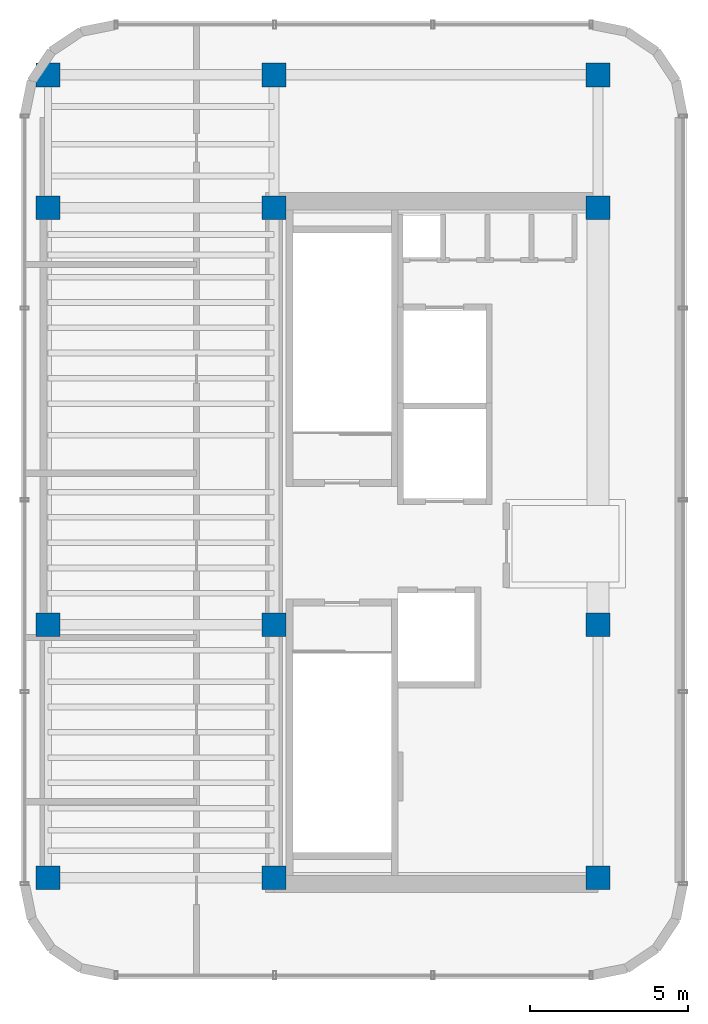
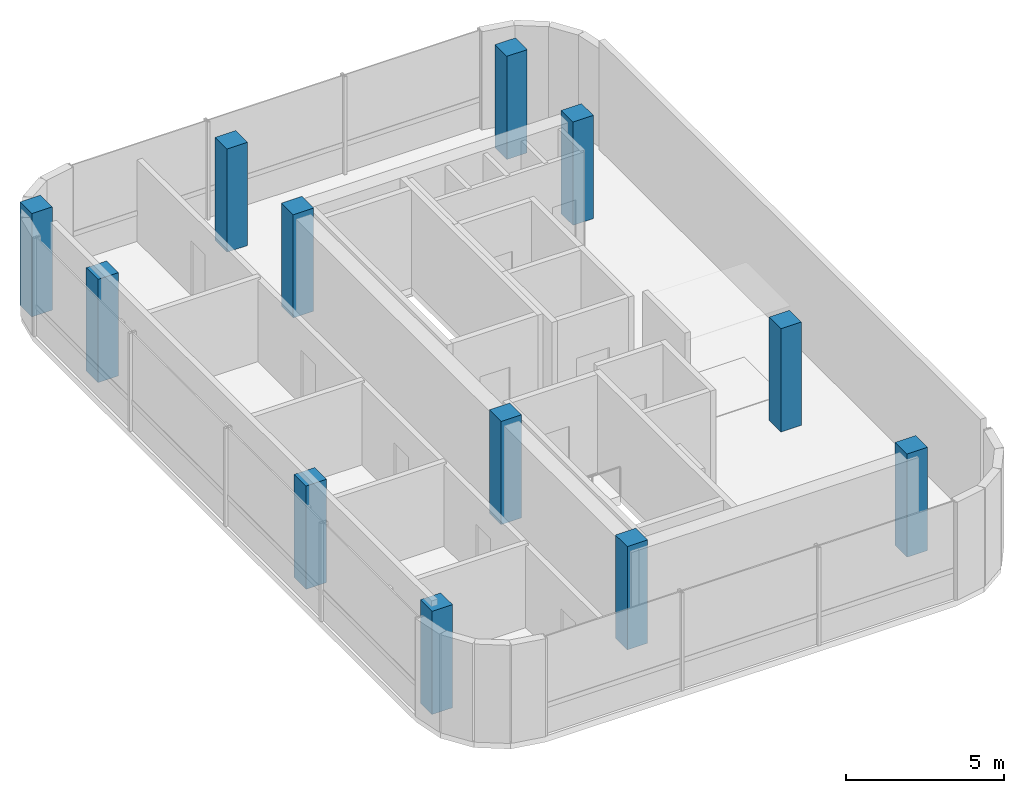
# One storey, part 1 of 11: 12 columns.
"""IFC4 building model written with IfcOpenShell, lengths in metres."""

from ifc_helpers import new_model, si_unit, direction, frame, origin, origin_2d, place, context, subcontext, project, spatial, rectangle, extrude, source, transform, mapped, material, material_profile, profile_set, type_object, element, save


model = new_model("IFC4")

# Units and contexts
model_context = context("Model", 3, precision=1e-05, world=origin(), true_north=direction((0.0, 1.0)))
body_context = subcontext(model_context, "Body", "Model", "MODEL_VIEW")
ifc_project = project(units=[si_unit("LENGTHUNIT", "METRE"), si_unit("AREAUNIT", "SQUARE_METRE"), si_unit("VOLUMEUNIT", "CUBIC_METRE"), si_unit("PLANEANGLEUNIT", "RADIAN"), si_unit("MASSUNIT", "GRAM", prefix="KILO")], contexts=[model_context])

# Site, building, storey
site_placement = place(None, origin())
site = spatial("IfcSite", under=ifc_project, at=site_placement, CompositionType="ELEMENT")
building_placement = place(site_placement, origin())
building = spatial("IfcBuilding", under=site, at=building_placement, Name="Valdorenza Pilgrim Sanctuary Tower", CompositionType="ELEMENT")
storey_placement = place(building_placement, frame((0.0, 0.0, 303.60009765625)))
storey = spatial("IfcBuildingStorey", under=building, at=storey_placement, Name="L79", CompositionType="ELEMENT", Elevation=303.60009765625)

# Columns
ifc_material = material(Name="Concrete C50/60", Category="concrete")
ifc_material_profile = material_profile(ifc_material, rectangle(XDim=0.75, YDim=0.75, at=origin_2d()), Name="RC 750x750")
ifc_profile_set = profile_set([ifc_material_profile], Name="Concrete C50/60")
column_type = type_object("IfcColumnType", Name="COL-CRW-750", PredefinedType="COLUMN", material=ifc_profile_set)
shared_shape = source(origin(), body_context, "Body", "SweptSolid", [
    extrude(rectangle(XDim=0.75, YDim=0.75, at=origin_2d()), origin(), (0.0, 0.0, 1.0), 4.0),
])
for number, where, z_axis, x_axis, name in (
    (1, (-29.800048828125, -10.60009765625, 0.0), (0.0, 0.0, 1.0), (1.0, 0.0, 0.0), "L79 Perimeter Column WA-W-S1"),
    (2, (-22.64990234375, -10.60009765625, 0.0), (0.0, 0.0, 1.0), (1.0, 0.0, 0.0), "L79 Column CA-W-S1"),
    (3, (-12.39990234375, -10.60009765625, 0.0), (0.0, 0.0, 1.0), (1.0, 0.0, 0.0), "L79 Column CA-E-S1"),
    (4, (-29.800048828125, -2.60009765625, 0.0), (0.0, 0.0, 1.0), (1.0, 0.0, 0.0), "L79 Perimeter Column WA-W-M0"),
    (5, (-22.64990234375, -2.60009765625, 0.0), (0.0, 0.0, 1.0), (1.0, 0.0, 0.0), "L79 Column CA-W-M0"),
    (6, (-12.39990234375, -2.60009765625, 0.0), (0.0, 0.0, 1.0), (1.0, 0.0, 0.0), "L79 Column CA-E-M0"),
    (7, (-29.800048828125, 10.60009765625, 0.0), (0.0, 0.0, 1.0), (1.0, 0.0, 0.0), "L79 Perimeter Column WA-W-N1"),
    (8, (-22.64990234375, 10.60009765625, 0.0), (0.0, 0.0, 1.0), (1.0, 0.0, 0.0), "L79 Column CA-W-N1"),
    (9, (-12.39990234375, 10.60009765625, 0.0), (0.0, 0.0, 1.0), (1.0, 0.0, 0.0), "L79 Column CA-E-N1"),
    (10, (-29.800048828125, 14.800048828125, 0.0), (0.0, 0.0, 1.0), (1.0, 0.0, 0.0), "L79 Perimeter Column WA-W-N2"),
    (11, (-22.64990234375, 14.800048828125, 0.0), (0.0, 0.0, 1.0), (1.0, 0.0, 0.0), "L79 Column CA-W-N2"),
    (12, (-12.39990234375, 14.800048828125, 0.0), (0.0, 0.0, 1.0), (1.0, 0.0, 0.0), "L79 Column CA-E-N2"),
):
    element("IfcColumn", number, at=place(storey_placement, frame(where, z_axis=z_axis, x_axis=x_axis)), inside=storey, type_object=column_type, Name=name, PredefinedType="COLUMN", context=body_context, shape_type="MappedRepresentation", body=[
        mapped(shared_shape, transform((0.0, 0.0, 0.0), x_axis=(1.0, 0.0, 0.0), y_axis=(0.0, 1.0, 0.0), z_axis=(0.0, 0.0, 1.0), scale=1.0)),
    ])

save(model, "model.ifc")
